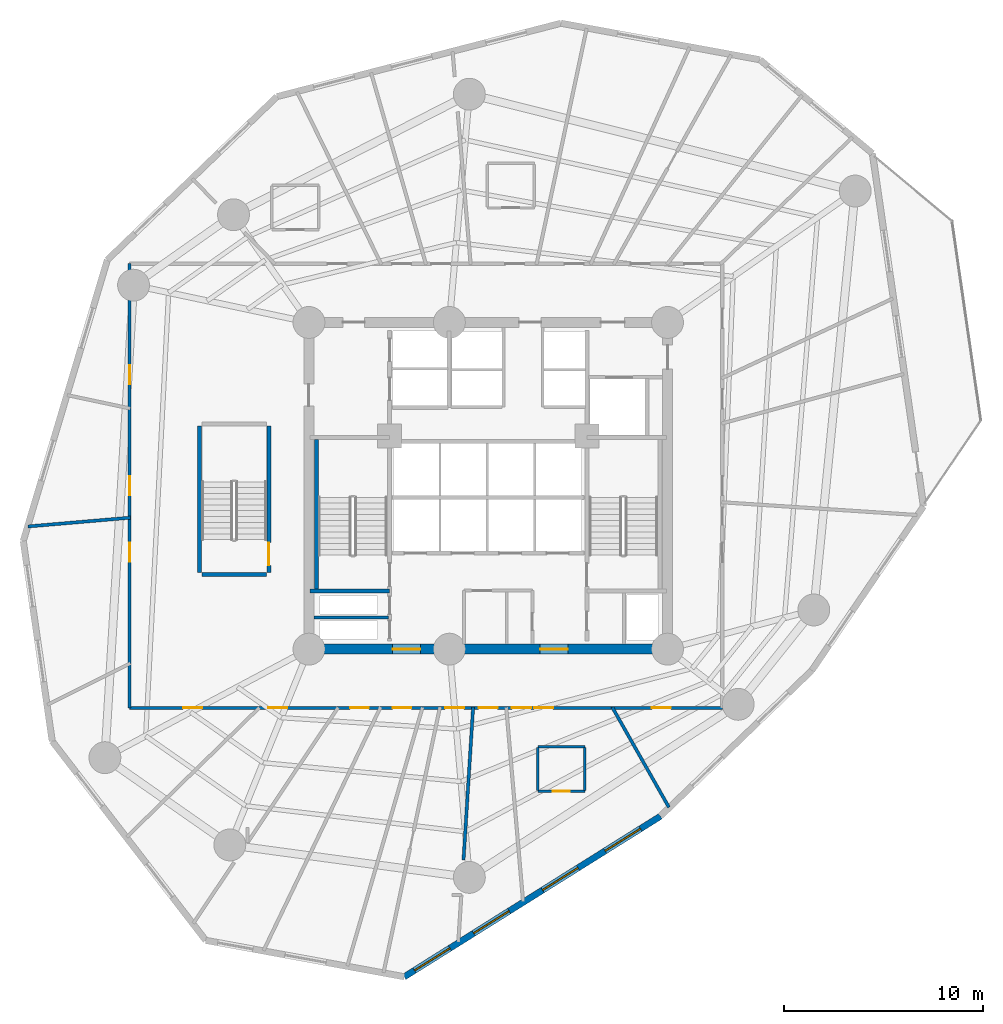
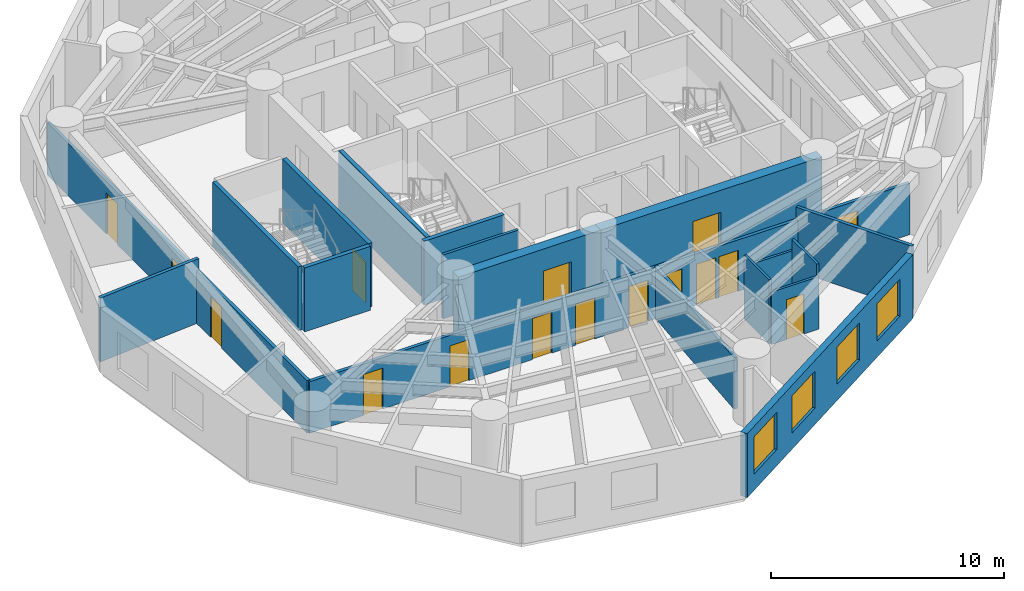
# One storey, part 3 of 9: 18 walls, 16 doors, 4 windows, 20 openings.
"""IFC4 building model written with IfcOpenShell, lengths in metres."""

from ifc_helpers import new_model, si_unit, direction, frame, frame_2d, origin, origin_with_axes, place, context, subcontext, project, spatial, rectangle, extrude, source, transform, mapped, material, layer, layer_set, type_object, element, fill, save


model = new_model("IFC4")

# Units and contexts
model_context = context("Model", 3, precision=1e-05, world=origin(), true_north=direction((0.0, 1.0)))
body_context = subcontext(model_context, "Body", "Model", "MODEL_VIEW")
ifc_project = project(units=[si_unit("LENGTHUNIT", "METRE"), si_unit("AREAUNIT", "SQUARE_METRE"), si_unit("VOLUMEUNIT", "CUBIC_METRE"), si_unit("PLANEANGLEUNIT", "RADIAN"), si_unit("MASSUNIT", "GRAM", prefix="KILO")], contexts=[model_context])

# Site, building, storey
site_placement = place(None, origin())
site = spatial("IfcSite", under=ifc_project, at=site_placement, CompositionType="ELEMENT")
building_placement = place(site_placement, origin())
building = spatial("IfcBuilding", under=site, at=building_placement, Name="Karkom Vertical University and Central Library", CompositionType="ELEMENT")
storey_placement = place(building_placement, frame((0.0, 0.0, 69.699951171875)))
storey = spatial("IfcBuildingStorey", under=building, at=storey_placement, Name="L18", CompositionType="ELEMENT", Elevation=69.699951171875)

# Wall, openings, windows
ifc_material_1 = material(Name="Brick-faced precast concrete C45/55", Category="masonry")
ifc_layer_1 = layer(ifc_material_1, 0.320068359375)
ifc_layer_set_1 = layer_set([ifc_layer_1], Name="Brick-faced precast concrete C45/55")
wall_type_1 = type_object("IfcWallType", Name="ENV-WL-BRK-320", PredefinedType="SOLIDWALL", material=ifc_layer_set_1)
wall_1_placement = place(storey_placement, frame((24.284423828125, 1.85009765625, 0.0), z_axis=(0.0, 0.0, 1.0), x_axis=(0.847304587573, 0.531107273418, 0.0)))
wall_1 = element("IfcWall", 1, at=wall_1_placement, inside=storey, type_object=wall_type_1, Name="Level 18 Brick-Faced Precast Facade Wall 05", PredefinedType="SOLIDWALL", context=body_context, shape_type="SweptSolid", body=[
    extrude(rectangle(XDim=15.1806640625, YDim=0.320068359375, at=frame_2d((7.59033203125, 0.0))), origin(), (0.0, 0.0, 1.0), 3.35009765625),
])
opening_1_placement = place(wall_1_placement, frame((0.6044921875, 0.0, 0.85009765625)))
opening_1 = element("IfcOpeningElement", 2, at=opening_1_placement, cuts=wall_1, Name="Opening WN-03", PredefinedType="OPENING", context=body_context, shape_type="SweptSolid", body=[
    extrude(rectangle(XDim=2.10009765625, YDim=1.949951171875, at=frame_2d((1.050048828125, 0.97509765625))), frame((0.0, 0.169921875, 0.0), z_axis=(0.0, -1.0, 0.0), x_axis=(1.0, 0.0, 0.0)), (0.0, 0.0, 1.0), 0.340087890625),
])
opening_2_placement = place(wall_1_placement, frame((4.112548828125, 0.0, 0.85009765625)))
opening_2 = element("IfcOpeningElement", 3, at=opening_2_placement, cuts=wall_1, Name="Opening WN-03", PredefinedType="OPENING", context=body_context, shape_type="SweptSolid", body=[
    extrude(rectangle(XDim=2.10009765625, YDim=1.949951171875, at=frame_2d((1.050048828125, 0.97509765625))), frame((0.0, 0.169921875, 0.0), z_axis=(0.0, -1.0, 0.0), x_axis=(1.0, 0.0, 0.0)), (0.0, 0.0, 1.0), 0.340087890625),
])
opening_3_placement = place(wall_1_placement, frame((8.197265625, 0.0, 0.85009765625)))
opening_3 = element("IfcOpeningElement", 4, at=opening_3_placement, cuts=wall_1, Name="Opening WN-03", PredefinedType="OPENING", context=body_context, shape_type="SweptSolid", body=[
    extrude(rectangle(XDim=2.10009765625, YDim=1.949951171875, at=frame_2d((1.050048828125, 0.97509765625))), frame((0.0, 0.169921875, 0.0), z_axis=(0.0, -1.0, 0.0), x_axis=(1.0, 0.0, 0.0)), (0.0, 0.0, 1.0), 0.340087890625),
])
opening_4_placement = place(wall_1_placement, frame((11.8994140625, 0.0, 0.85009765625)))
opening_4 = element("IfcOpeningElement", 5, at=opening_4_placement, cuts=wall_1, Name="Opening WN-03", PredefinedType="OPENING", context=body_context, shape_type="SweptSolid", body=[
    extrude(rectangle(XDim=2.10009765625, YDim=1.949951171875, at=frame_2d((1.050048828125, 0.97509765625))), frame((0.0, 0.169921875, 0.0), z_axis=(0.0, -1.0, 0.0), x_axis=(1.0, 0.0, 0.0)), (0.0, 0.0, 1.0), 0.340087890625),
])
ifc_material_2 = material(Name="Aluminium thermal-break frame with solar-control IGU", Category="aluminium")
window_type = type_object("IfcWindowType", Name="ENV-WIN-WN-03", PartitioningType="SINGLE_PANEL", PredefinedType="WINDOW", material=ifc_material_2)
shared_shape_1 = source(origin_with_axes(), body_context, "Body", "SweptSolid", [
    extrude(rectangle(XDim=2.10009765625, YDim=1.949951171875, at=frame_2d((1.050048828125, 0.97509765625))), frame((0.0, 0.030029296875, 0.0), z_axis=(0.0, -1.0, 0.0), x_axis=(1.0, 0.0, 0.0)), (0.0, 0.0, 1.0), 0.06005859375),
])
window_1_placement = place(opening_1_placement, origin())
window_1 = element("IfcWindow", 6, at=window_1_placement, inside=storey, type_object=window_type, Name="Level 18 Punched Window 5.1", OverallHeight=1.949951171875, OverallWidth=2.10009765625, PartitioningType="SINGLE_PANEL", PredefinedType="WINDOW", context=body_context, shape_type="MappedRepresentation", body=[
    mapped(shared_shape_1, transform((0.0, 0.0, 0.0), scale=1.0)),
])
fill(opening_1, window_1)
window_2_placement = place(opening_2_placement, origin())
window_2 = element("IfcWindow", 7, at=window_2_placement, inside=storey, type_object=window_type, Name="Level 18 Punched Window 5.2", OverallHeight=1.949951171875, OverallWidth=2.10009765625, PartitioningType="SINGLE_PANEL", PredefinedType="WINDOW", context=body_context, shape_type="MappedRepresentation", body=[
    mapped(shared_shape_1, transform((0.0, 0.0, 0.0), scale=1.0)),
])
fill(opening_2, window_2)
window_3_placement = place(opening_3_placement, origin())
window_3 = element("IfcWindow", 8, at=window_3_placement, inside=storey, type_object=window_type, Name="Level 18 Punched Window 5.3", OverallHeight=1.949951171875, OverallWidth=2.10009765625, PartitioningType="SINGLE_PANEL", PredefinedType="WINDOW", context=body_context, shape_type="MappedRepresentation", body=[
    mapped(shared_shape_1, transform((0.0, 0.0, 0.0), scale=1.0)),
])
fill(opening_3, window_3)
window_4_placement = place(opening_4_placement, origin())
window_4 = element("IfcWindow", 9, at=window_4_placement, inside=storey, type_object=window_type, Name="Level 18 Punched Window 5.4", OverallHeight=1.949951171875, OverallWidth=2.10009765625, PartitioningType="SINGLE_PANEL", PredefinedType="WINDOW", context=body_context, shape_type="MappedRepresentation", body=[
    mapped(shared_shape_1, transform((0.0, 0.0, 0.0), scale=1.0)),
])
fill(opening_4, window_4)

# Wall, openings, doors
ifc_material_3 = material(Name="Insulated metal-stud drywall 160mm", Category="gypsum")
ifc_layer_2 = layer(ifc_material_3, 0.159912109375)
ifc_layer_set_2 = layer_set([ifc_layer_2], Name="Insulated metal-stud drywall 160mm")
wall_type_2 = type_object("IfcWallType", Name="INT-WL-COR-160", PredefinedType="PARTITIONING", material=ifc_layer_set_2)
wall_2_placement = place(storey_placement, frame((40.25, 15.35009765625, 0.0), z_axis=(0.0, 0.0, 1.0), x_axis=(-1.0, 0.0, 0.0)))
wall_2 = element("IfcWall", 10, at=wall_2_placement, inside=storey, type_object=wall_type_2, Name="Level 18 Interior Partition Wall L18-CORW-CW-001", PredefinedType="PARTITIONING", context=body_context, shape_type="SweptSolid", body=[
    extrude(rectangle(XDim=29.75, YDim=0.159912109375, at=frame_2d((14.875, 0.0))), origin(), (0.0, 0.0, 1.0), 2.699951171875),
])
opening_5_placement = place(wall_2_placement, frame((26.109619140625, 0.0, 0.0)))
opening_5 = element("IfcOpeningElement", 11, at=opening_5_placement, cuts=wall_2, Name="Opening FD-RM2", PredefinedType="OPENING", context=body_context, shape_type="SweptSolid", body=[
    extrude(rectangle(XDim=0.9599609375, YDim=2.14990234375, at=frame_2d((0.47998046875, 1.074951171875))), frame((0.0, 0.08984375, 0.0), z_axis=(0.0, -1.0, 0.0), x_axis=(1.0, 0.0, 0.0)), (0.0, 0.0, 1.0), 0.179931640625),
])
opening_6_placement = place(wall_2_placement, frame((21.83740234375, 0.0, 0.0)))
opening_6 = element("IfcOpeningElement", 12, at=opening_6_placement, cuts=wall_2, Name="Opening D-RM1", PredefinedType="OPENING", context=body_context, shape_type="SweptSolid", body=[
    extrude(rectangle(XDim=0.949951171875, YDim=2.14990234375, at=frame_2d((0.47509765625, 1.074951171875))), frame((0.0, 0.08984375, 0.0), z_axis=(0.0, -1.0, 0.0), x_axis=(1.0, 0.0, 0.0)), (0.0, 0.0, 1.0), 0.179931640625),
])
opening_7_placement = place(wall_2_placement, frame((17.736572265625, 0.0, 0.0)))
opening_7 = element("IfcOpeningElement", 13, at=opening_7_placement, cuts=wall_2, Name="Opening D-RM1", PredefinedType="OPENING", context=body_context, shape_type="SweptSolid", body=[
    extrude(rectangle(XDim=0.949951171875, YDim=2.14990234375, at=frame_2d((0.47509765625, 1.074951171875))), frame((0.0, 0.08984375, 0.0), z_axis=(0.0, -1.0, 0.0), x_axis=(1.0, 0.0, 0.0)), (0.0, 0.0, 1.0), 0.179931640625),
])
opening_8_placement = place(wall_2_placement, frame((15.60400390625, 0.0, 0.0)))
opening_8 = element("IfcOpeningElement", 14, at=opening_8_placement, cuts=wall_2, Name="Opening D-RM1", PredefinedType="OPENING", context=body_context, shape_type="SweptSolid", body=[
    extrude(rectangle(XDim=0.949951171875, YDim=2.14990234375, at=frame_2d((0.47509765625, 1.074951171875))), frame((0.0, 0.08984375, 0.0), z_axis=(0.0, -1.0, 0.0), x_axis=(1.0, 0.0, 0.0)), (0.0, 0.0, 1.0), 0.179931640625),
])
opening_9_placement = place(wall_2_placement, frame((12.9599609375, 0.0, 0.0)))
opening_9 = element("IfcOpeningElement", 15, at=opening_9_placement, cuts=wall_2, Name="Opening FD-RM2", PredefinedType="OPENING", context=body_context, shape_type="SweptSolid", body=[
    extrude(rectangle(XDim=0.9599609375, YDim=2.14990234375, at=frame_2d((0.47998046875, 1.074951171875))), frame((0.0, 0.08984375, 0.0), z_axis=(0.0, -1.0, 0.0), x_axis=(1.0, 0.0, 0.0)), (0.0, 0.0, 1.0), 0.179931640625),
])
opening_10_placement = place(wall_2_placement, frame((11.28076171875, 0.0, 0.0)))
opening_10 = element("IfcOpeningElement", 16, at=opening_10_placement, cuts=wall_2, Name="Opening D-RM1", PredefinedType="OPENING", context=body_context, shape_type="SweptSolid", body=[
    extrude(rectangle(XDim=0.949951171875, YDim=2.14990234375, at=frame_2d((0.47509765625, 1.074951171875))), frame((0.0, 0.08984375, 0.0), z_axis=(0.0, -1.0, 0.0), x_axis=(1.0, 0.0, 0.0)), (0.0, 0.0, 1.0), 0.179931640625),
])
opening_11_placement = place(wall_2_placement, frame((9.601318359375, 0.0, 0.0)))
opening_11 = element("IfcOpeningElement", 17, at=opening_11_placement, cuts=wall_2, Name="Opening FD-RM2", PredefinedType="OPENING", context=body_context, shape_type="SweptSolid", body=[
    extrude(rectangle(XDim=0.9599609375, YDim=2.14990234375, at=frame_2d((0.47998046875, 1.074951171875))), frame((0.0, 0.08984375, 0.0), z_axis=(0.0, -1.0, 0.0), x_axis=(1.0, 0.0, 0.0)), (0.0, 0.0, 1.0), 0.179931640625),
])
opening_12_placement = place(wall_2_placement, frame((8.49755859375, 0.0, 0.0)))
opening_12 = element("IfcOpeningElement", 18, at=opening_12_placement, cuts=wall_2, Name="Opening D-RM1", PredefinedType="OPENING", context=body_context, shape_type="SweptSolid", body=[
    extrude(rectangle(XDim=0.949951171875, YDim=2.14990234375, at=frame_2d((0.47509765625, 1.074951171875))), frame((0.0, 0.08984375, 0.0), z_axis=(0.0, -1.0, 0.0), x_axis=(1.0, 0.0, 0.0)), (0.0, 0.0, 1.0), 0.179931640625),
])
opening_13_placement = place(wall_2_placement, frame((2.579345703125, 0.0, 0.0)))
opening_13 = element("IfcOpeningElement", 19, at=opening_13_placement, cuts=wall_2, Name="Opening D-RM1", PredefinedType="OPENING", context=body_context, shape_type="SweptSolid", body=[
    extrude(rectangle(XDim=0.949951171875, YDim=2.14990234375, at=frame_2d((0.47509765625, 1.074951171875))), frame((0.0, 0.08984375, 0.0), z_axis=(0.0, -1.0, 0.0), x_axis=(1.0, 0.0, 0.0)), (0.0, 0.0, 1.0), 0.179931640625),
])
ifc_material_4 = material(Name="Fire-rated oak veneer door", Category="wood")
door_type_1 = type_object("IfcDoorType", Name="INT-DR-FRM2", OperationType="NOTDEFINED", PredefinedType="DOOR", material=ifc_material_4)
shared_shape_2 = source(origin_with_axes(), body_context, "Body", "SweptSolid", [
    extrude(rectangle(XDim=0.9599609375, YDim=2.14990234375, at=frame_2d((0.47998046875, 1.074951171875))), frame((0.0, 0.02490234375, 0.0), z_axis=(0.0, -1.0, 0.0), x_axis=(1.0, 0.0, 0.0)), (0.0, 0.0, 1.0), 0.050048828125),
])
door_1_placement = place(opening_5_placement, origin())
door_1 = element("IfcDoor", 20, at=door_1_placement, inside=storey, type_object=door_type_1, Name="Level 18 Room Entry Door 010", OperationType="SINGLE_SWING_RIGHT", OverallHeight=2.14990234375, OverallWidth=0.9599609375, PredefinedType="DOOR", context=body_context, shape_type="MappedRepresentation", body=[
    mapped(shared_shape_2, transform((0.0, 0.0, 0.0), scale=1.0)),
])
fill(opening_5, door_1)
door_2_placement = place(opening_9_placement, origin())
door_2 = element("IfcDoor", 21, at=door_2_placement, inside=storey, type_object=door_type_1, Name="Level 18 Room Entry Door 050", OperationType="SINGLE_SWING_RIGHT", OverallHeight=2.14990234375, OverallWidth=0.9599609375, PredefinedType="DOOR", context=body_context, shape_type="MappedRepresentation", body=[
    mapped(shared_shape_2, transform((0.0, 0.0, 0.0), scale=1.0)),
])
fill(opening_9, door_2)
door_3_placement = place(opening_11_placement, origin())
door_3 = element("IfcDoor", 22, at=door_3_placement, inside=storey, type_object=door_type_1, Name="Level 18 Room Entry Door 070", OperationType="SINGLE_SWING_RIGHT", OverallHeight=2.14990234375, OverallWidth=0.9599609375, PredefinedType="DOOR", context=body_context, shape_type="MappedRepresentation", body=[
    mapped(shared_shape_2, transform((0.0, 0.0, 0.0), scale=1.0)),
])
fill(opening_11, door_3)
ifc_material_5 = material(Name="Solid-core oak veneer door", Category="wood")
door_type_2 = type_object("IfcDoorType", Name="INT-DR-RM1", OperationType="NOTDEFINED", PredefinedType="DOOR", material=ifc_material_5)
shared_shape_3 = source(origin_with_axes(), body_context, "Body", "SweptSolid", [
    extrude(rectangle(XDim=0.949951171875, YDim=2.14990234375, at=frame_2d((0.47509765625, 1.074951171875))), frame((0.0, 0.02490234375, 0.0), z_axis=(0.0, -1.0, 0.0), x_axis=(1.0, 0.0, 0.0)), (0.0, 0.0, 1.0), 0.050048828125),
])
door_4_placement = place(opening_6_placement, origin())
door_4 = element("IfcDoor", 23, at=door_4_placement, inside=storey, type_object=door_type_2, Name="Level 18 Room Entry Door 020", OperationType="SINGLE_SWING_LEFT", OverallHeight=2.14990234375, OverallWidth=0.949951171875, PredefinedType="DOOR", context=body_context, shape_type="MappedRepresentation", body=[
    mapped(shared_shape_3, transform((0.0, 0.0, 0.0), scale=1.0)),
])
fill(opening_6, door_4)
door_5_placement = place(opening_7_placement, origin())
door_5 = element("IfcDoor", 24, at=door_5_placement, inside=storey, type_object=door_type_2, Name="Level 18 Room Entry Door 030", OperationType="SINGLE_SWING_RIGHT", OverallHeight=2.14990234375, OverallWidth=0.949951171875, PredefinedType="DOOR", context=body_context, shape_type="MappedRepresentation", body=[
    mapped(shared_shape_3, transform((0.0, 0.0, 0.0), scale=1.0)),
])
fill(opening_7, door_5)
door_6_placement = place(opening_8_placement, origin())
door_6 = element("IfcDoor", 25, at=door_6_placement, inside=storey, type_object=door_type_2, Name="Level 18 Room Entry Door 040", OperationType="SINGLE_SWING_LEFT", OverallHeight=2.14990234375, OverallWidth=0.949951171875, PredefinedType="DOOR", context=body_context, shape_type="MappedRepresentation", body=[
    mapped(shared_shape_3, transform((0.0, 0.0, 0.0), scale=1.0)),
])
fill(opening_8, door_6)
door_7_placement = place(opening_10_placement, origin())
door_7 = element("IfcDoor", 26, at=door_7_placement, inside=storey, type_object=door_type_2, Name="Level 18 Room Entry Door 060", OperationType="SINGLE_SWING_LEFT", OverallHeight=2.14990234375, OverallWidth=0.949951171875, PredefinedType="DOOR", context=body_context, shape_type="MappedRepresentation", body=[
    mapped(shared_shape_3, transform((0.0, 0.0, 0.0), scale=1.0)),
])
fill(opening_10, door_7)
door_8_placement = place(opening_12_placement, origin())
door_8 = element("IfcDoor", 27, at=door_8_placement, inside=storey, type_object=door_type_2, Name="Level 18 Room Entry Door 080", OperationType="SINGLE_SWING_LEFT", OverallHeight=2.14990234375, OverallWidth=0.949951171875, PredefinedType="DOOR", context=body_context, shape_type="MappedRepresentation", body=[
    mapped(shared_shape_3, transform((0.0, 0.0, 0.0), scale=1.0)),
])
fill(opening_12, door_8)
door_9_placement = place(opening_13_placement, origin())
door_9 = element("IfcDoor", 28, at=door_9_placement, inside=storey, type_object=door_type_2, Name="Level 18 Room Entry Door 090", OperationType="SINGLE_SWING_RIGHT", OverallHeight=2.14990234375, OverallWidth=0.949951171875, PredefinedType="DOOR", context=body_context, shape_type="MappedRepresentation", body=[
    mapped(shared_shape_3, transform((0.0, 0.0, 0.0), scale=1.0)),
])
fill(opening_13, door_9)

wall_3_placement = place(storey_placement, frame((10.5, 15.35009765625, 0.0), z_axis=(0.0, 0.0, 1.0), x_axis=(0.0, 1.0, 0.0)))
wall_3 = element("IfcWall", 29, at=wall_3_placement, inside=storey, type_object=wall_type_2, Name="Level 18 Interior Partition Wall L18-CORW-CW-002", PredefinedType="PARTITIONING", context=body_context, shape_type="SweptSolid", body=[
    extrude(rectangle(XDim=22.2998046875, YDim=0.159912109375, at=frame_2d((11.14990234375, 0.0))), origin(), (0.0, 0.0, 1.0), 2.75),
])
opening_14_placement = place(wall_3_placement, frame((7.330078125, 0.0, 0.0)))
opening_14 = element("IfcOpeningElement", 30, at=opening_14_placement, cuts=wall_3, Name="Opening D-RM1", PredefinedType="OPENING", context=body_context, shape_type="SweptSolid", body=[
    extrude(rectangle(XDim=0.949951171875, YDim=2.14990234375, at=frame_2d((0.47509765625, 1.074951171875))), frame((0.0, 0.08984375, 0.0), z_axis=(0.0, -1.0, 0.0), x_axis=(1.0, 0.0, 0.0)), (0.0, 0.0, 1.0), 0.179931640625),
])
opening_15_placement = place(wall_3_placement, frame((16.25, 0.0, 0.0)))
opening_15 = element("IfcOpeningElement", 31, at=opening_15_placement, cuts=wall_3, Name="Opening FD-RM2", PredefinedType="OPENING", context=body_context, shape_type="SweptSolid", body=[
    extrude(rectangle(XDim=0.9599609375, YDim=2.14990234375, at=frame_2d((0.47998046875, 1.074951171875))), frame((0.0, 0.08984375, 0.0), z_axis=(0.0, -1.0, 0.0), x_axis=(1.0, 0.0, 0.0)), (0.0, 0.0, 1.0), 0.179931640625),
])
opening_16_placement = place(wall_3_placement, frame((10.675048828125, 0.0, 0.0)))
opening_16 = element("IfcOpeningElement", 32, at=opening_16_placement, cuts=wall_3, Name="Opening D-RM1", PredefinedType="OPENING", context=body_context, shape_type="SweptSolid", body=[
    extrude(rectangle(XDim=0.949951171875, YDim=2.14990234375, at=frame_2d((0.47509765625, 1.074951171875))), frame((0.0, 0.08984375, 0.0), z_axis=(0.0, -1.0, 0.0), x_axis=(1.0, 0.0, 0.0)), (0.0, 0.0, 1.0), 0.179931640625),
])
door_10_placement = place(opening_15_placement, origin())
door_10 = element("IfcDoor", 33, at=door_10_placement, inside=storey, type_object=door_type_1, Name="Level 18 Room Entry Door 230", OperationType="SINGLE_SWING_LEFT", OverallHeight=2.14990234375, OverallWidth=0.9599609375, PredefinedType="DOOR", context=body_context, shape_type="MappedRepresentation", body=[
    mapped(shared_shape_2, transform((0.0, 0.0, 0.0), scale=1.0)),
])
fill(opening_15, door_10)
door_11_placement = place(opening_14_placement, origin())
door_11 = element("IfcDoor", 34, at=door_11_placement, inside=storey, type_object=door_type_2, Name="Level 18 Room Entry Door 000", OperationType="SINGLE_SWING_LEFT", OverallHeight=2.14990234375, OverallWidth=0.949951171875, PredefinedType="DOOR", context=body_context, shape_type="MappedRepresentation", body=[
    mapped(shared_shape_3, transform((0.0, 0.0, 0.0), scale=1.0)),
])
fill(opening_14, door_11)
door_12_placement = place(opening_16_placement, origin())
door_12 = element("IfcDoor", 35, at=door_12_placement, inside=storey, type_object=door_type_2, Name="Level 18 Room Entry Door 240", OperationType="SINGLE_SWING_RIGHT", OverallHeight=2.14990234375, OverallWidth=0.949951171875, PredefinedType="DOOR", context=body_context, shape_type="MappedRepresentation", body=[
    mapped(shared_shape_3, transform((0.0, 0.0, 0.0), scale=1.0)),
])
fill(opening_16, door_12)

# Walls
wall_4_placement = place(storey_placement, frame((27.74169921875, 15.39501953125, 0.0), z_axis=(0.0, 0.0, 1.0), x_axis=(-0.062734238662, -0.998030267727, 0.0)))
element("IfcWall", 36, at=wall_4_placement, inside=storey, type_object=wall_type_2, Name="Level 18 Interior Partition Wall L18-PW-010", PredefinedType="PARTITIONING", context=body_context, shape_type="SweptSolid", body=[
    extrude(rectangle(XDim=7.68603515625, YDim=0.159912109375, at=frame_2d((3.843017578125, 0.0))), origin(), (0.0, 0.0, 1.0), 2.699951171875),
])
wall_5_placement = place(storey_placement, frame((34.723388671875, 15.38916015625, 0.0), z_axis=(0.0, 0.0, 1.0), x_axis=(0.492787709446, -0.870149569568, 0.0)))
element("IfcWall", 37, at=wall_5_placement, inside=storey, type_object=wall_type_2, Name="Level 18 Interior Partition Wall L18-PW-014", PredefinedType="PARTITIONING", context=body_context, shape_type="SweptSolid", body=[
    extrude(rectangle(XDim=5.78076171875, YDim=0.159912109375, at=frame_2d((2.890380859375, 0.0))), origin(), (0.0, 0.0, 1.0), 3.35009765625),
])
wall_6_placement = place(storey_placement, frame((5.40478515625, 24.45947265625, 0.0), z_axis=(0.0, 0.0, 1.0), x_axis=(0.99634549852, 0.085414563041, 0.0)))
element("IfcWall", 38, at=wall_6_placement, inside=storey, type_object=wall_type_2, Name="Level 18 Interior Partition Wall L18-PW-002", PredefinedType="PARTITIONING", context=body_context, shape_type="SweptSolid", body=[
    extrude(rectangle(XDim=5.1591796875, YDim=0.159912109375, at=frame_2d((2.57958984375, 0.0))), origin(), (0.0, 0.0, 1.0), 3.35009765625),
])

# Wall, opening, door
ifc_material_6 = material(Name="Moisture-resistant drywall 120mm", Category="gypsum")
ifc_layer_3 = layer(ifc_material_6, 0.1201171875)
ifc_layer_set_3 = layer_set([ifc_layer_3], Name="Moisture-resistant drywall 120mm")
wall_type_3 = type_object("IfcWallType", Name="INT-WL-INT-120F", PredefinedType="PARTITIONING", material=ifc_layer_set_3)
wall_7_placement = place(storey_placement, frame((30.992919921875, 11.1640625, 0.0), z_axis=(0.0, 0.0, 1.0), x_axis=(1.0, 0.0, 0.0)))
wall_7 = element("IfcWall", 39, at=wall_7_placement, inside=storey, type_object=wall_type_3, Name="Level 18 Interior Partition Wall L18-ENS-78-S", PredefinedType="PARTITIONING", context=body_context, shape_type="SweptSolid", body=[
    extrude(rectangle(XDim=2.360107421875, YDim=0.1201171875, at=frame_2d((1.18017578125, 0.0))), origin(), (0.0, 0.0, 1.0), 2.75),
])
opening_17_placement = place(wall_7_placement, frame((0.75, 0.0, 0.0)))
opening_17 = element("IfcOpeningElement", 40, at=opening_17_placement, cuts=wall_7, Name="Opening D-BATH", PredefinedType="OPENING", context=body_context, shape_type="SweptSolid", body=[
    extrude(rectangle(XDim=0.860107421875, YDim=2.10009765625, at=frame_2d((0.43017578125, 1.050048828125))), frame((0.0, 0.070068359375, 0.0), z_axis=(0.0, -1.0, 0.0), x_axis=(1.0, 0.0, 0.0)), (0.0, 0.0, 1.0), 0.14013671875),
])
ifc_material_7 = material(Name="Moisture-resistant oak door", Category="wood")
door_type_3 = type_object("IfcDoorType", Name="INT-DR-BATH", OperationType="NOTDEFINED", PredefinedType="DOOR", material=ifc_material_7)
shared_shape_4 = source(origin_with_axes(), body_context, "Body", "SweptSolid", [
    extrude(rectangle(XDim=0.860107421875, YDim=2.10009765625, at=frame_2d((0.43017578125, 1.050048828125))), frame((0.0, 0.02490234375, 0.0), z_axis=(0.0, -1.0, 0.0), x_axis=(1.0, 0.0, 0.0)), (0.0, 0.0, 1.0), 0.050048828125),
])
door_13_placement = place(opening_17_placement, origin())
door_13 = element("IfcDoor", 41, at=door_13_placement, inside=storey, type_object=door_type_3, Name="Level 18 En-Suite Bathroom Door 78", OperationType="SINGLE_SWING_RIGHT", OverallHeight=2.10009765625, OverallWidth=0.860107421875, PredefinedType="DOOR", context=body_context, shape_type="MappedRepresentation", body=[
    mapped(shared_shape_4, transform((0.0, 0.0, 0.0), scale=1.0)),
])
fill(opening_17, door_13)

# Walls
wall_8_placement = place(storey_placement, frame((33.35302734375, 13.404052734375, 0.0), z_axis=(0.0, 0.0, 1.0), x_axis=(-1.0, 0.0, 0.0)))
element("IfcWall", 42, at=wall_8_placement, inside=storey, type_object=wall_type_3, Name="Level 18 Interior Partition Wall L18-ENS-78-N", PredefinedType="PARTITIONING", context=body_context, shape_type="SweptSolid", body=[
    extrude(rectangle(XDim=2.360107421875, YDim=0.1201171875, at=frame_2d((1.18017578125, 0.0))), origin(), (0.0, 0.0, 1.0), 2.75),
])
for number, where, z_axis, x_axis, name in (
    (43, (33.35302734375, 11.214111328125, 0.0), (0.0, 0.0, 1.0), (0.0, 1.0, 0.0), "Level 18 Interior Partition Wall L18-ENS-78-E"),
    (44, (30.992919921875, 13.35400390625, 0.0), (0.0, 0.0, 1.0), (0.0, -1.0, 0.0), "Level 18 Interior Partition Wall L18-ENS-78-W"),
):
    element("IfcWall", number, at=place(storey_placement, frame(where, z_axis=z_axis, x_axis=x_axis)), inside=storey, type_object=wall_type_3, Name=name, PredefinedType="PARTITIONING", context=body_context, shape_type="SweptSolid", body=[
        extrude(rectangle(XDim=2.139892578125, YDim=0.1201171875, at=frame_2d((1.06982421875, 0.0))), origin(), (0.0, 0.0, 1.0), 3.35009765625),
    ])
ifc_material_8 = material(Name="Metal-stud gypsum partition 140mm", Category="gypsum")
ifc_layer_4 = layer(ifc_material_8, 0.139892578125)
ifc_layer_set_4 = layer_set([ifc_layer_4], Name="Metal-stud gypsum partition 140mm")
wall_type_4 = type_object("IfcWallType", Name="INT-WL-SUB-140H", PredefinedType="PARTITIONING", material=ifc_layer_set_4)
wall_9_placement = place(storey_placement, frame((19.757080078125, 19.889892578125, 0.0), z_axis=(0.0, 0.0, 1.0), x_axis=(1.0, 0.0, 0.0)))
element("IfcWall", 45, at=wall_9_placement, inside=storey, type_object=wall_type_4, Name="Level 18 Interior Partition Wall L18-CW-RIS-W", PredefinedType="PARTITIONING", context=body_context, shape_type="SweptSolid", body=[
    extrude(rectangle(XDim=3.7392578125, YDim=0.139892578125, at=frame_2d((1.86962890625, 0.0))), origin(), (0.0, 0.0, 1.0), 3.35009765625),
])

# Wall, opening, door
ifc_material_9 = material(Name="Concrete C50/60", Category="concrete")
ifc_layer_5 = layer(ifc_material_9, 0.5)
ifc_layer_set_5 = layer_set([ifc_layer_5], Name="Concrete C50/60")
wall_type_5 = type_object("IfcWallType", Name="STR-WL-CW-500", PredefinedType="SHEAR", material=ifc_layer_set_5)
wall_10_placement = place(storey_placement, frame((19.5, 18.300048828125, 0.0), z_axis=(0.0, 0.0, 1.0), x_axis=(1.0, 0.0, 0.0)))
wall_10 = element("IfcWall", 46, at=wall_10_placement, inside=storey, type_object=wall_type_5, Name="Level 18 Central Core Shear Wall SW1", PredefinedType="SHEAR", context=body_context, shape_type="SweptSolid", body=[
    extrude(rectangle(XDim=7.050048828125, YDim=0.5, at=frame_2d((3.52490234375, 0.0))), origin(), (0.0, 0.0, 1.0), 3.35009765625),
])
opening_18_placement = place(wall_10_placement, frame((4.199951171875, 0.0, 0.0)))
opening_18 = element("IfcOpeningElement", 47, at=opening_18_placement, cuts=wall_10, Name="Opening FD-CLB", PredefinedType="OPENING", context=body_context, shape_type="SweptSolid", body=[
    extrude(rectangle(XDim=1.39990234375, YDim=2.199951171875, at=frame_2d((0.699951171875, 1.10009765625))), frame((0.0, 0.260009765625, 0.0), z_axis=(0.0, -1.0, 0.0), x_axis=(1.0, 0.0, 0.0)), (0.0, 0.0, 1.0), 0.52001953125),
])
ifc_material_10 = material(Name="Painted steel fire door", Category="steel")
door_type_4 = type_object("IfcDoorType", Name="INT-DR-CLB", OperationType="DOUBLE_DOOR_SINGLE_SWING", PredefinedType="DOOR", material=ifc_material_10)
shared_shape_5 = source(origin_with_axes(), body_context, "Body", "SweptSolid", [
    extrude(rectangle(XDim=1.39990234375, YDim=2.199951171875, at=frame_2d((0.699951171875, 1.10009765625))), frame((0.0, 0.02490234375, 0.0), z_axis=(0.0, -1.0, 0.0), x_axis=(1.0, 0.0, 0.0)), (0.0, 0.0, 1.0), 0.050048828125),
])
door_14_placement = place(opening_18_placement, origin())
door_14 = element("IfcDoor", 48, at=door_14_placement, inside=storey, type_object=door_type_4, Name="Level 18 South Core Lobby West Exit Door", OperationType="DOUBLE_DOOR_SINGLE_SWING", OverallHeight=2.199951171875, OverallWidth=1.39990234375, PredefinedType="DOOR", context=body_context, shape_type="MappedRepresentation", body=[
    mapped(shared_shape_5, transform((0.0, 0.0, 0.0), scale=1.0)),
])
fill(opening_18, door_14)

wall_11_placement = place(storey_placement, frame((26.550048828125, 18.300048828125, 0.0), z_axis=(0.0, 0.0, 1.0), x_axis=(1.0, 0.0, 0.0)))
wall_11 = element("IfcWall", 49, at=wall_11_placement, inside=storey, type_object=wall_type_5, Name="Level 18 Central Core Shear Wall SW2", PredefinedType="SHEAR", context=body_context, shape_type="SweptSolid", body=[
    extrude(rectangle(XDim=10.949951171875, YDim=0.5, at=frame_2d((5.47509765625, 0.0))), origin(), (0.0, 0.0, 1.0), 3.35009765625),
])
opening_19_placement = place(wall_11_placement, frame((4.550048828125, 0.0, 0.0)))
opening_19 = element("IfcOpeningElement", 50, at=opening_19_placement, cuts=wall_11, Name="Opening FD-CLB", PredefinedType="OPENING", context=body_context, shape_type="SweptSolid", body=[
    extrude(rectangle(XDim=1.39990234375, YDim=2.199951171875, at=frame_2d((0.699951171875, 1.10009765625))), frame((0.0, 0.260009765625, 0.0), z_axis=(0.0, -1.0, 0.0), x_axis=(1.0, 0.0, 0.0)), (0.0, 0.0, 1.0), 0.52001953125),
])
door_15_placement = place(opening_19_placement, origin())
door_15 = element("IfcDoor", 51, at=door_15_placement, inside=storey, type_object=door_type_4, Name="Level 18 South Core Lobby East Exit Door", OperationType="DOUBLE_DOOR_SINGLE_SWING", OverallHeight=2.199951171875, OverallWidth=1.39990234375, PredefinedType="DOOR", context=body_context, shape_type="MappedRepresentation", body=[
    mapped(shared_shape_5, transform((0.0, 0.0, 0.0), scale=1.0)),
])
fill(opening_19, door_15)

# Walls
ifc_material_11 = material(Name="Concrete C45/55", Category="concrete")
ifc_layer_6 = layer(ifc_material_11, 0.199951171875)
ifc_layer_set_6 = layer_set([ifc_layer_6], Name="Concrete C45/55")
wall_type_6 = type_object("IfcWallType", Name="STR-WL-ST-200", PredefinedType="SHEAR", material=ifc_layer_set_6)
wall_12_placement = place(storey_placement, frame((19.875, 21.320068359375, 0.0), z_axis=(0.0, 0.0, 1.0), x_axis=(0.0, 1.0, 0.0)))
element("IfcWall", 52, at=wall_12_placement, inside=storey, type_object=wall_type_6, Name="Level 18 Core Shaft Wall L18-CW-ST1-W", PredefinedType="SHEAR", context=body_context, shape_type="SweptSolid", body=[
    extrude(rectangle(XDim=7.5, YDim=0.199951171875, at=frame_2d((3.75, 0.0))), origin(), (0.0, 0.0, 1.0), 3.35009765625),
])
wall_13_placement = place(storey_placement, frame((14.014892578125, 22.14990234375, 0.0), z_axis=(0.0, 0.0, 1.0), x_axis=(0.0, 1.0, 0.0)))
element("IfcWall", 53, at=wall_13_placement, inside=storey, type_object=wall_type_6, Name="Level 18 Core Shaft Wall L18-W-ST3-W", PredefinedType="SHEAR", context=body_context, shape_type="SweptSolid", body=[
    extrude(rectangle(XDim=7.35009765625, YDim=0.199951171875, at=frame_2d((3.675048828125, 0.0))), origin(), (0.0, 0.0, 1.0), 3.35009765625),
])

# Wall, opening, door
wall_14_placement = place(storey_placement, frame((17.485107421875, 22.14990234375, 0.0), z_axis=(0.0, 0.0, 1.0), x_axis=(0.0, 1.0, 0.0)))
wall_14 = element("IfcWall", 54, at=wall_14_placement, inside=storey, type_object=wall_type_6, Name="Level 18 Core Shaft Wall L18-W-ST3-E", PredefinedType="SHEAR", context=body_context, shape_type="SweptSolid", body=[
    extrude(rectangle(XDim=7.35009765625, YDim=0.199951171875, at=frame_2d((3.675048828125, 0.0))), origin(), (0.0, 0.0, 1.0), 3.35009765625),
])
opening_20_placement = place(wall_14_placement, frame((0.35009765625, 0.0, 0.0)))
opening_20 = element("IfcOpeningElement", 55, at=opening_20_placement, cuts=wall_14, Name="Opening FD-ST1", PredefinedType="OPENING", context=body_context, shape_type="SweptSolid", body=[
    extrude(rectangle(XDim=1.14990234375, YDim=2.14990234375, at=frame_2d((0.574951171875, 1.074951171875))), frame((0.0, 0.10986328125, 0.0), z_axis=(0.0, -1.0, 0.0), x_axis=(1.0, 0.0, 0.0)), (0.0, 0.0, 1.0), 0.219970703125),
])
ifc_material_12 = material(Name="Painted steel acoustic fire door", Category="steel")
door_type_5 = type_object("IfcDoorType", Name="INT-DR-ST1", OperationType="NOTDEFINED", PredefinedType="DOOR", material=ifc_material_12)
shared_shape_6 = source(origin_with_axes(), body_context, "Body", "SweptSolid", [
    extrude(rectangle(XDim=1.14990234375, YDim=2.14990234375, at=frame_2d((0.574951171875, 1.074951171875))), frame((0.0, 0.02490234375, 0.0), z_axis=(0.0, -1.0, 0.0), x_axis=(1.0, 0.0, 0.0)), (0.0, 0.0, 1.0), 0.050048828125),
])
door_16_placement = place(opening_20_placement, origin())
door_16 = element("IfcDoor", 56, at=door_16_placement, inside=storey, type_object=door_type_5, Name="Level 18 Stair ST-3 Fire Door", OperationType="SINGLE_SWING_LEFT", OverallHeight=2.14990234375, OverallWidth=1.14990234375, PredefinedType="DOOR", context=body_context, shape_type="MappedRepresentation", body=[
    mapped(shared_shape_6, transform((0.0, 0.0, 0.0), scale=1.0)),
])
fill(opening_20, door_16)

# Walls
wall_15_placement = place(storey_placement, frame((19.550048828125, 21.215087890625, 0.0), z_axis=(0.0, 0.0, 1.0), x_axis=(1.0, 0.0, 0.0)))
element("IfcWall", 57, at=wall_15_placement, inside=storey, type_object=wall_type_6, Name="Level 18 Core Shaft Wall L18-CW-ST1-S", PredefinedType="SHEAR", context=body_context, shape_type="SweptSolid", body=[
    extrude(rectangle(XDim=3.994873046875, YDim=0.199951171875, at=frame_2d((1.99755859375, 0.0))), origin(), (0.0, 0.0, 1.0), 3.35009765625),
])
wall_16_placement = place(storey_placement, frame((14.1201171875, 22.044921875, 0.0), z_axis=(0.0, 0.0, 1.0), x_axis=(1.0, 0.0, 0.0)))
element("IfcWall", 58, at=wall_16_placement, inside=storey, type_object=wall_type_6, Name="Level 18 Core Shaft Wall L18-W-ST3-S", PredefinedType="SHEAR", context=body_context, shape_type="SweptSolid", body=[
    extrude(rectangle(XDim=3.259765625, YDim=0.199951171875, at=frame_2d((1.6298828125, 0.0))), origin(), (0.0, 0.0, 1.0), 3.35009765625),
])

save(model, "model.ifc")
